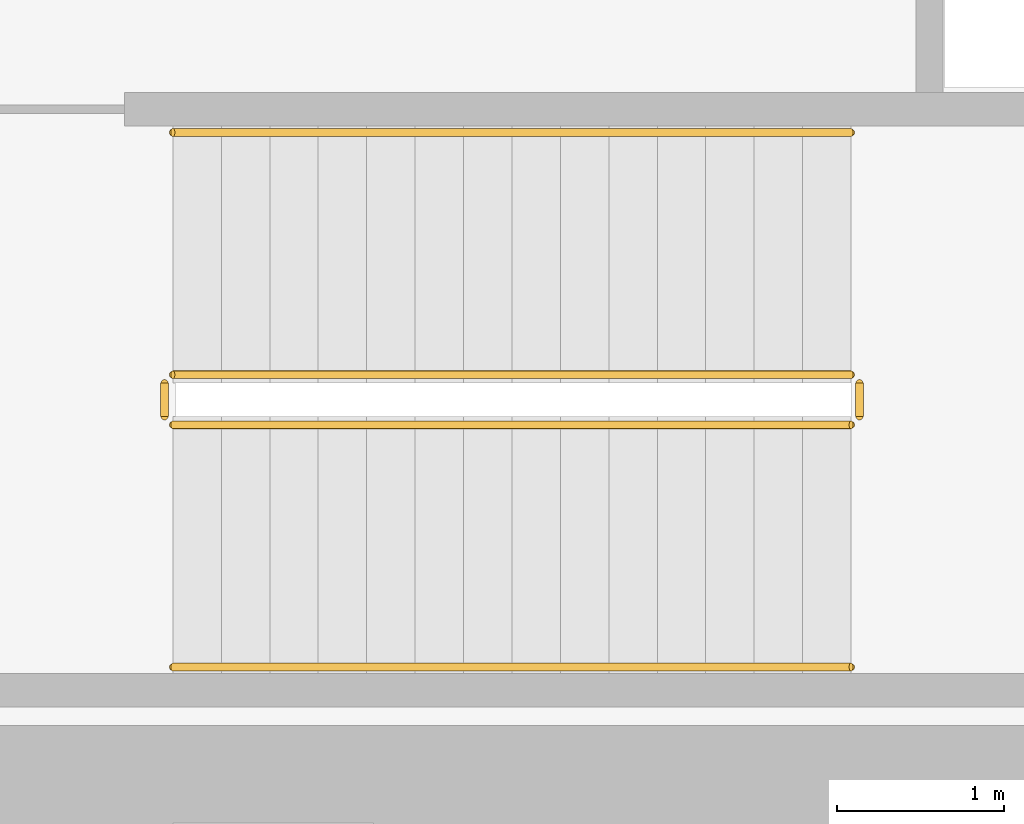
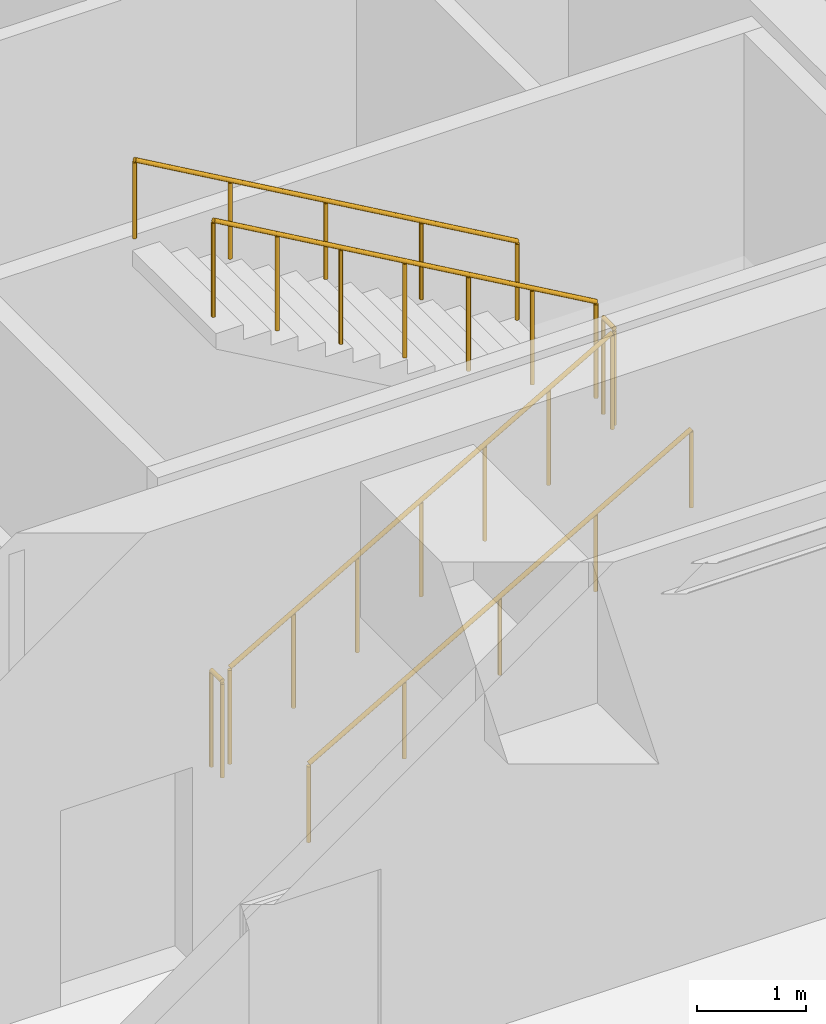
# One storey, part 27 of 28: 6 railings.
"""IFC4 building model written with IfcOpenShell, lengths in metres."""

from ifc_helpers import new_model, si_unit, direction, frame, origin, origin_2d, place, context, subcontext, project, spatial, circle, extrude, material, type_object, element, save


model = new_model("IFC4")

# Units and contexts
model_context = context("Model", 3, precision=1e-05, world=origin(), true_north=direction((0.0, 1.0)))
body_context = subcontext(model_context, "Body", "Model", "MODEL_VIEW")
ifc_project = project(units=[si_unit("LENGTHUNIT", "METRE"), si_unit("AREAUNIT", "SQUARE_METRE"), si_unit("VOLUMEUNIT", "CUBIC_METRE"), si_unit("PLANEANGLEUNIT", "RADIAN"), si_unit("MASSUNIT", "GRAM", prefix="KILO")], contexts=[model_context])

# Site, building, storey
site_placement = place(None, origin())
site = spatial("IfcSite", under=ifc_project, at=site_placement, CompositionType="ELEMENT")
building_placement = place(site_placement, origin())
building = spatial("IfcBuilding", under=site, at=building_placement, Name="Putna Gate Headquarters", CompositionType="ELEMENT")
storey_placement = place(building_placement, frame((0.0, 0.0, 197.39990234375)))
storey = spatial("IfcBuildingStorey", under=building, at=storey_placement, Name="L49", CompositionType="ELEMENT", Elevation=197.39990234375)

# Railings
ifc_material_1 = material(Name="Powder-coated steel stair guardrail", Category="steel")
railing_type_1 = type_object("IfcRailingType", Name="RAIL-STAIR-GUARD-1100", PredefinedType="GUARDRAIL", material=ifc_material_1)
railing_1_placement = place(storey_placement, frame((57.89990234375, 21.10009765625, 0.166748046875)))
element("IfcRailing", 1, at=railing_1_placement, inside=storey, type_object=railing_type_1, Name="L49 ST2 stair guard 1", PredefinedType="GUARDRAIL", context=body_context, shape_type="SweptSolid", body=[
    extrude(circle(Radius=0.02392578125, at=origin_2d()), frame((0.0, 0.0, 1.076171875), z_axis=(0.867024558463, 0.0, 0.498265406207), x_axis=(0.0, 1.0, 0.0)), (0.0, 0.0, 1.0), 4.682861328125),
    extrude(circle(Radius=0.02099609375, at=origin_2d()), origin(), (0.0, 0.0, 1.0), 1.052001953125),
    extrude(circle(Radius=0.02099609375, at=origin_2d()), frame((0.6767578125, 0.0, 0.388916015625)), (0.0, 0.0, 1.0), 1.052001953125),
    extrude(circle(Radius=0.02099609375, at=origin_2d()), frame((1.353271484375, 0.0, 0.77783203125)), (0.0, 0.0, 1.0), 1.052001953125),
    extrude(circle(Radius=0.02099609375, at=origin_2d()), frame((2.030029296875, 0.0, 1.16650390625)), (0.0, 0.0, 1.0), 1.052001953125),
    extrude(circle(Radius=0.02099609375, at=origin_2d()), frame((2.706787109375, 0.0, 1.555419921875)), (0.0, 0.0, 1.0), 1.052001953125),
    extrude(circle(Radius=0.02099609375, at=origin_2d()), frame((3.38330078125, 0.0, 1.9443359375)), (0.0, 0.0, 1.0), 1.052001953125),
    extrude(circle(Radius=0.02099609375, at=origin_2d()), frame((4.06005859375, 0.0, 2.333251953125)), (0.0, 0.0, 1.0), 1.052001953125),
])
railing_2_placement = place(storey_placement, frame((62.010009765625, 21.14990234375, 2.5)))
element("IfcRailing", 2, at=railing_2_placement, inside=storey, type_object=railing_type_1, Name="L49 ST2 stair guard 2", PredefinedType="GUARDRAIL", context=body_context, shape_type="SweptSolid", body=[
    extrude(circle(Radius=0.02392578125, at=origin_2d()), frame((0.0, 0.0, 1.076171875), z_axis=(0.0, 1.0, 0.0), x_axis=(-1.0, 0.0, 0.0)), (0.0, 0.0, 1.0), 0.2001953125),
    extrude(circle(Radius=0.02099609375, at=origin_2d()), origin(), (0.0, 0.0, 1.0), 1.052001953125),
    extrude(circle(Radius=0.02099609375, at=origin_2d()), frame((0.0, 0.2001953125, 0.0)), (0.0, 0.0, 1.0), 1.052001953125),
])
railing_3_placement = place(storey_placement, frame((61.9599609375, 21.39990234375, 2.666748046875)))
element("IfcRailing", 3, at=railing_3_placement, inside=storey, type_object=railing_type_1, Name="L49 ST2 stair guard 3", PredefinedType="GUARDRAIL", context=body_context, shape_type="SweptSolid", body=[
    extrude(circle(Radius=0.02392578125, at=origin_2d()), frame((0.0, 0.0, 1.076171875), z_axis=(-0.867024558463, 0.0, 0.498265406207), x_axis=(0.0, -1.0, 0.0)), (0.0, 0.0, 1.0), 4.682861328125),
    extrude(circle(Radius=0.02099609375, at=origin_2d()), origin(), (0.0, 0.0, 1.0), 1.052001953125),
    extrude(circle(Radius=0.02099609375, at=origin_2d()), frame((-0.6767578125, 0.0, 0.388916015625)), (0.0, 0.0, 1.0), 1.052001953125),
    extrude(circle(Radius=0.02099609375, at=origin_2d()), frame((-1.353271484375, 0.0, 0.77783203125)), (0.0, 0.0, 1.0), 1.052001953125),
    extrude(circle(Radius=0.02099609375, at=origin_2d()), frame((-2.030029296875, 0.0, 1.16650390625)), (0.0, 0.0, 1.0), 1.052001953125),
    extrude(circle(Radius=0.02099609375, at=origin_2d()), frame((-2.706787109375, 0.0, 1.555419921875)), (0.0, 0.0, 1.0), 1.052001953125),
    extrude(circle(Radius=0.02099609375, at=origin_2d()), frame((-3.38330078125, 0.0, 1.9443359375)), (0.0, 0.0, 1.0), 1.052001953125),
    extrude(circle(Radius=0.02099609375, at=origin_2d()), frame((-4.06005859375, 0.0, 2.333251953125)), (0.0, 0.0, 1.0), 1.052001953125),
])
railing_4_placement = place(storey_placement, frame((57.85009765625, 21.14990234375, 0.0)))
element("IfcRailing", 4, at=railing_4_placement, inside=storey, type_object=railing_type_1, Name="L49 ST2 stair guard 4", PredefinedType="GUARDRAIL", context=body_context, shape_type="SweptSolid", body=[
    extrude(circle(Radius=0.02392578125, at=origin_2d()), frame((0.0, 0.0, 1.076171875), z_axis=(0.0, 1.0, 0.0), x_axis=(-1.0, 0.0, 0.0)), (0.0, 0.0, 1.0), 0.2001953125),
    extrude(circle(Radius=0.02099609375, at=origin_2d()), origin(), (0.0, 0.0, 1.0), 1.052001953125),
    extrude(circle(Radius=0.02099609375, at=origin_2d()), frame((0.0, 0.2001953125, 0.0)), (0.0, 0.0, 1.0), 1.052001953125),
])
ifc_material_2 = material(Name="Brushed stainless steel handrail", Category="steel")
railing_type_2 = type_object("IfcRailingType", Name="RAIL-STAIR-HAND-900", PredefinedType="HANDRAIL", material=ifc_material_2)
railing_5_placement = place(storey_placement, frame((57.89990234375, 19.64990234375, 0.166748046875)))
element("IfcRailing", 5, at=railing_5_placement, inside=storey, type_object=railing_type_2, Name="L49 ST2 stair handrail 1", PredefinedType="HANDRAIL", context=body_context, shape_type="SweptSolid", body=[
    extrude(circle(Radius=0.02392578125, at=origin_2d()), frame((0.0, 0.0, 0.8759765625), z_axis=(0.867024558463, 0.0, 0.498265406207), x_axis=(0.0, 1.0, 0.0)), (0.0, 0.0, 1.0), 4.682861328125),
    extrude(circle(Radius=0.02099609375, at=origin_2d()), origin(), (0.0, 0.0, 1.0), 0.851806640625),
    extrude(circle(Radius=0.02099609375, at=origin_2d()), frame((1.01513671875, 0.0, 0.583251953125)), (0.0, 0.0, 1.0), 0.851806640625),
    extrude(circle(Radius=0.02099609375, at=origin_2d()), frame((2.030029296875, 0.0, 1.16650390625)), (0.0, 0.0, 1.0), 0.851806640625),
    extrude(circle(Radius=0.02099609375, at=origin_2d()), frame((3.044921875, 0.0, 1.75)), (0.0, 0.0, 1.0), 0.851806640625),
    extrude(circle(Radius=0.02099609375, at=origin_2d()), frame((4.06005859375, 0.0, 2.333251953125)), (0.0, 0.0, 1.0), 0.851806640625),
])
railing_6_placement = place(storey_placement, frame((61.9599609375, 22.85009765625, 2.666748046875)))
element("IfcRailing", 6, at=railing_6_placement, inside=storey, type_object=railing_type_2, Name="L49 ST2 stair handrail 2", PredefinedType="HANDRAIL", context=body_context, shape_type="SweptSolid", body=[
    extrude(circle(Radius=0.02392578125, at=origin_2d()), frame((0.0, 0.0, 0.8759765625), z_axis=(-0.867024558463, 0.0, 0.498265406207), x_axis=(0.0, -1.0, 0.0)), (0.0, 0.0, 1.0), 4.682861328125),
    extrude(circle(Radius=0.02099609375, at=origin_2d()), origin(), (0.0, 0.0, 1.0), 0.851806640625),
    extrude(circle(Radius=0.02099609375, at=origin_2d()), frame((-1.01513671875, 0.0, 0.583251953125)), (0.0, 0.0, 1.0), 0.851806640625),
    extrude(circle(Radius=0.02099609375, at=origin_2d()), frame((-2.030029296875, 0.0, 1.16650390625)), (0.0, 0.0, 1.0), 0.851806640625),
    extrude(circle(Radius=0.02099609375, at=origin_2d()), frame((-3.044921875, 0.0, 1.75)), (0.0, 0.0, 1.0), 0.851806640625),
    extrude(circle(Radius=0.02099609375, at=origin_2d()), frame((-4.06005859375, 0.0, 2.333251953125)), (0.0, 0.0, 1.0), 0.851806640625),
])

save(model, "model.ifc")
